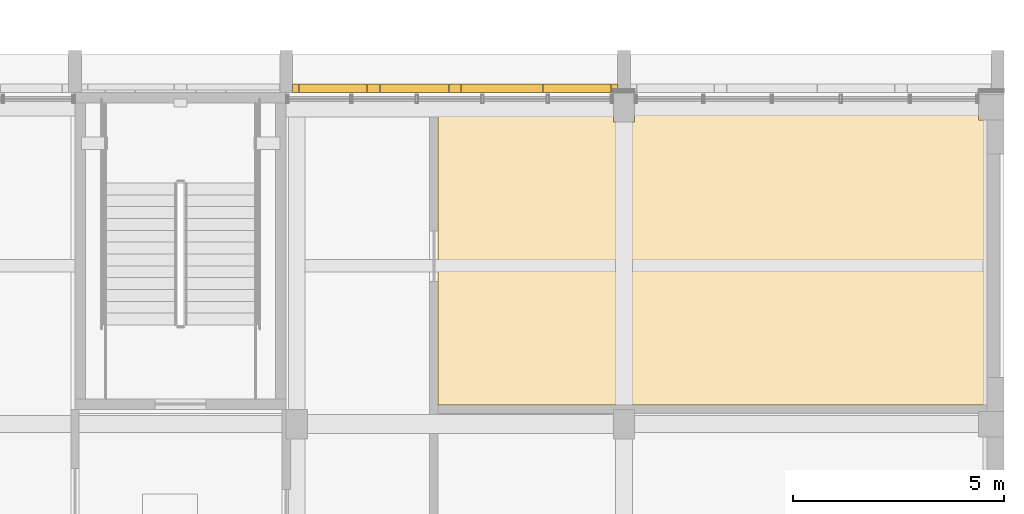
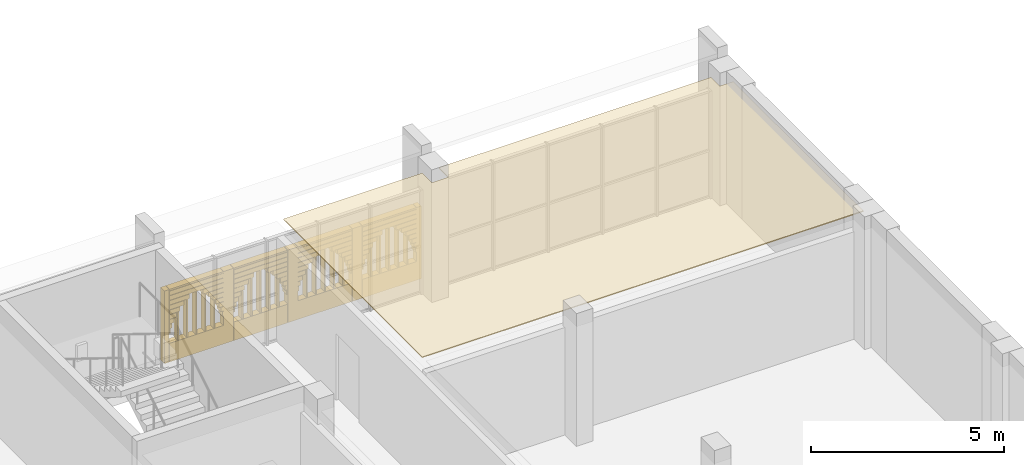
# One storey, part 91 of 92: 2 coverings.
"""IFC4 building model written with IfcOpenShell, lengths in metres."""

import ifcopenshell
import ifcopenshell.guid

model = None  # the IFC model being written
_history = None  # IfcOwnerHistory: only IFC2X3 demands one
_inside = {}  # id of a spatial element -> (the spatial element, [elements in it])
_under = {}  # id of a project, library or spatial element -> (it, [spatial elements below it])
_declared = {}  # id of a project -> (the project, [libraries it declares])
_typed = {}  # id of a type object -> (the type object, [elements of that type])
_made_of = {}  # id of a material, layer set ... -> (it, [elements and type objects made of it])


def new_model(schema):
    """Start an empty IFC model of exactly this schema.

    Asked for "IFC4X3", IfcOpenShell would pick the latest addendum, in which some entities
    have other attributes; the version numbers below select the first issue.
    IFC2X3 requires an IfcOwnerHistory on every rooted entity: one is made here for all.
    """
    global model, _history
    if schema == "IFC4X3":
        model = ifcopenshell.file(schema_version=(4, 3, 0, 0))
    else:
        model = ifcopenshell.file(schema=schema)
    _inside.clear()
    _under.clear()
    _declared.clear()
    _typed.clear()
    _made_of.clear()
    _history = None
    if model.schema == "IFC2X3":
        org = make("IfcOrganization", Name="unknown")
        user = make(
            "IfcPersonAndOrganization",
            ThePerson=make("IfcPerson", FamilyName="unknown"),
            TheOrganization=org,
        )
        app = make(
            "IfcApplication",
            ApplicationDeveloper=org,
            Version="unknown",
            ApplicationFullName="unknown",
            ApplicationIdentifier="unknown",
        )
        _history = make(
            "IfcOwnerHistory",
            OwningUser=user,
            OwningApplication=app,
            ChangeAction="ADDED",
            CreationDate=0,
        )
    return model


def make(cls, **values):
    """One entity of the class cls with the attributes given. An attribute that is None is left unset."""
    return model.create_entity(
        cls, **{name: value for name, value in values.items() if value is not None}
    )


def rooted(cls, **values):
    """An entity with a GlobalId (a new one), such as an element, a storey or a relation."""
    return make(cls, GlobalId=ifcopenshell.guid.new(), OwnerHistory=_history, **values)


def si_unit(unit_type, name, prefix=None):
    """IfcSIUnit, for example si_unit("LENGTHUNIT", "METRE", prefix="MILLI")."""
    return make("IfcSIUnit", UnitType=unit_type, Prefix=prefix, Name=name)


def assignment(units):
    """IfcUnitAssignment: the units of a project."""
    return None if units is None else make("IfcUnitAssignment", Units=units)


def point(xyz):
    """IfcCartesianPoint."""
    return None if xyz is None else make("IfcCartesianPoint", Coordinates=xyz)


def direction(xyz):
    """IfcDirection."""
    return None if xyz is None else make("IfcDirection", DirectionRatios=xyz)


def frame(location, z_axis=None, x_axis=None):
    """IfcAxis2Placement3D, a coordinate frame: its origin and axes. An axis left out is left unset."""
    return make(
        "IfcAxis2Placement3D",
        Location=point(location),
        Axis=direction(z_axis),
        RefDirection=direction(x_axis),
    )


def frame_2d(location, x_axis=None):
    """IfcAxis2Placement2D, a coordinate frame in the plane: its origin and x axis."""
    return make(
        "IfcAxis2Placement2D", Location=point(location), RefDirection=direction(x_axis)
    )


def origin():
    """The frame at (0, 0, 0) with its axes left unset."""
    return frame((0.0, 0.0, 0.0))


def origin_2d():
    """The frame at (0, 0) in the plane with its x axis left unset."""
    return frame_2d((0.0, 0.0))


def place(relative_to, where):
    """IfcLocalPlacement: puts the frame where relative to a parent placement (None: the world)."""
    return make(
        "IfcLocalPlacement", PlacementRelTo=relative_to, RelativePlacement=where
    )


def context(
    kind, dimensions, precision=None, world=None, true_north=None, identifier=None
):
    """IfcGeometricRepresentationContext, for example the 3D "Model" context."""
    return make(
        "IfcGeometricRepresentationContext",
        ContextIdentifier=identifier,
        ContextType=kind,
        CoordinateSpaceDimension=dimensions,
        Precision=precision,
        WorldCoordinateSystem=world,
        TrueNorth=true_north,
    )


def subcontext(parent, identifier, kind, view, scale=None):
    """IfcGeometricRepresentationSubContext, for example "Body" below "Model"."""
    return make(
        "IfcGeometricRepresentationSubContext",
        ContextIdentifier=identifier,
        ContextType=kind,
        ParentContext=parent,
        TargetScale=scale,
        TargetView=view,
    )


def project(units=None, contexts=None):
    """IfcProject with its units and contexts."""
    return rooted(
        "IfcProject",
        Name="project",
        RepresentationContexts=contexts,
        UnitsInContext=assignment(units),
    )


def spatial(cls, under=None, at=None, **own):
    """A site, building, storey or space (cls), placed at a placement, below another one or the project."""
    s = rooted(cls, ObjectPlacement=at, **own)
    if under is not None:
        _under.setdefault(under.id(), (under, []))[1].append(s)
    return s


def polyline(points):
    """IfcPolyline through the points."""
    return make("IfcPolyline", Points=[point(p) for p in points])


def profile(cls, at=None, kind="AREA", **sizes):
    """A parametric profile (cls). Its sizes go by their IFC names, for example OverallWidth=200.0."""
    return make(cls, ProfileType=kind, Position=at, **sizes)


def rectangle(**sizes):
    """IfcRectangleProfileDef."""
    return profile("IfcRectangleProfileDef", **sizes)


def outline(outer, holes=None, kind="AREA"):
    """IfcArbitraryClosedProfileDef: a profile drawn as a closed curve; with holes, ...WithVoids."""
    if holes is None:
        return make("IfcArbitraryClosedProfileDef", ProfileType=kind, OuterCurve=outer)
    return make(
        "IfcArbitraryProfileDefWithVoids",
        ProfileType=kind,
        OuterCurve=outer,
        InnerCurves=holes,
    )


def extrude(swept, where, along, depth):
    """IfcExtrudedAreaSolid: the profile swept, set in the frame where, extruded along a direction by depth."""
    return make(
        "IfcExtrudedAreaSolid",
        SweptArea=swept,
        Position=where,
        ExtrudedDirection=direction(along),
        Depth=depth,
    )


def shape(context_of_items, identifier, shape_type, items):
    """IfcShapeRepresentation: the items that make up one representation, for example the "Body"."""
    return make(
        "IfcShapeRepresentation",
        ContextOfItems=context_of_items,
        RepresentationIdentifier=identifier,
        RepresentationType=shape_type,
        Items=items,
    )


def material(Name=None, Category=None):
    """IfcMaterial."""
    return make("IfcMaterial", Name=Name, Category=Category)


def layer(
    of_material, thickness, ventilated=None, Name=None, Category=None, Priority=None
):
    """IfcMaterialLayer: one layer of a wall or slab, of a material (None: an air gap)."""
    return make(
        "IfcMaterialLayer",
        Material=of_material,
        LayerThickness=thickness,
        IsVentilated=ventilated,
        Name=Name,
        Category=Category,
        Priority=Priority,
    )


def layer_set(layers, Name=None):
    """IfcMaterialLayerSet."""
    return make("IfcMaterialLayerSet", MaterialLayers=layers, LayerSetName=Name)


def made_of(thing, what):
    """Note that an element or type object is made of a material, layer set ...; save() writes the relation."""
    if what is not None:
        _made_of.setdefault(what.id(), (what, []))[1].append(thing)
    return thing


def type_object(cls, material=None, **own):
    """A type object (cls), such as IfcWallType, which elements share."""
    return made_of(rooted(cls, **own), material)


def element(
    cls,
    number,
    at=None,
    inside=None,
    cuts=None,
    type_object=None,
    material=None,
    context=None,
    identifier="Body",
    shape_type=None,
    held_by="IfcProductDefinitionShape",
    body=None,
    shapes=None,
    **own,
):
    """One element of the class cls, such as IfcWall. Its Tag is "e" and its number.

    at: its placement. inside: the storey or other place that contains it. cuts: it is an
    opening in that element (IfcRelVoidsElement). A single representation is given by context,
    identifier, shape_type and body (its items); several are given by shapes. held_by: the class
    of the entity that holds the representations. save() writes the other relations.
    """
    e = rooted(cls, Tag="e%d" % number, ObjectPlacement=at, **own)
    if body is not None:
        shapes = [shape(context, identifier, shape_type, body)]
    if shapes is not None:
        e.Representation = make(held_by, Representations=shapes)
    if inside is not None:
        _inside.setdefault(inside.id(), (inside, []))[1].append(e)
    if cuts is not None:
        rooted(
            "IfcRelVoidsElement", RelatingBuildingElement=cuts, RelatedOpeningElement=e
        )
    if type_object is not None:
        _typed.setdefault(type_object.id(), (type_object, []))[1].append(e)
    return made_of(e, material)


def aggregate(whole, parts):
    """IfcRelAggregates: a whole, such as a stair, and the parts it consists of."""
    return rooted("IfcRelAggregates", RelatingObject=whole, RelatedObjects=parts)


def save(model, path):
    """Write the relations noted so far, then the file.

    IfcRelAggregates (storeys below a building ...), IfcRelContainedInSpatialStructure (elements
    in a storey), IfcRelDefinesByType, IfcRelAssociatesMaterial and IfcRelDeclares: one each for
    every whole, place, type object, material and project.
    """
    for whole, parts in _under.values():
        aggregate(whole, parts)
    for where, things in _inside.values():
        rooted(
            "IfcRelContainedInSpatialStructure",
            RelatedElements=things,
            RelatingStructure=where,
        )
    for kind, things in _typed.values():
        rooted("IfcRelDefinesByType", RelatedObjects=things, RelatingType=kind)
    for what, things in _made_of.values():
        rooted("IfcRelAssociatesMaterial", RelatedObjects=things, RelatingMaterial=what)
    for by, libraries in _declared.values():
        rooted("IfcRelDeclares", RelatingContext=by, RelatedDefinitions=libraries)
    model.write(path)


model = new_model("IFC4")

# Units and contexts
model_context = context("Model", 3, precision=1e-05, world=origin(), true_north=direction((0.0, 1.0)))
body_context = subcontext(model_context, "Body", "Model", "MODEL_VIEW")
ifc_project = project(units=[si_unit("LENGTHUNIT", "METRE"), si_unit("AREAUNIT", "SQUARE_METRE"), si_unit("VOLUMEUNIT", "CUBIC_METRE"), si_unit("PLANEANGLEUNIT", "RADIAN"), si_unit("MASSUNIT", "GRAM", prefix="KILO")], contexts=[model_context])

# Site, building, storey
site_placement = place(None, origin())
site = spatial("IfcSite", under=ifc_project, at=site_placement, CompositionType="ELEMENT")
building_placement = place(site_placement, origin())
building = spatial("IfcBuilding", under=site, at=building_placement, Name="Sun Court Science Centre", CompositionType="ELEMENT")
storey_placement = place(building_placement, frame((0.0, 0.0, 11.25)))
storey = spatial("IfcBuildingStorey", under=building, at=storey_placement, Name="L02", CompositionType="ELEMENT", Elevation=11.25)

# Coverings
ifc_material_1 = material(Name="Red sandstone", Category="masonry")
ifc_layer_1 = layer(ifc_material_1, 0.199951171875)
ifc_layer_set_1 = layer_set([ifc_layer_1], Name="Red sandstone")
covering_type_1 = type_object("IfcCoveringType", Name="Arched jali screen 200", PredefinedType="CLADDING", material=ifc_layer_set_1)
covering_1_placement = place(storey_placement, frame((0.0, 0.0, -11.25)))
element("IfcCovering", 1, at=covering_1_placement, inside=storey, type_object=covering_type_1, Name="Arched jali screen north L02 03", PredefinedType="CLADDING", context=body_context, shape_type="SweptSolid", body=[
    extrude(rectangle(XDim=0.139892578125, YDim=0.199951171875, at=origin_2d()), frame((87.22509765625, 81.10009765625, 11.554931640625), z_axis=(0.0, 0.0, 1.0), x_axis=(1.0, 0.0, 0.0)), (0.0, 0.0, 1.0), 2.29736328125),
    extrude(rectangle(XDim=0.2900390625, YDim=0.199951171875, at=origin_2d()), frame((89.074951171875, 81.10009765625, 11.554931640625), z_axis=(0.0, 0.0, 1.0), x_axis=(1.0, 0.0, 0.0)), (0.0, 0.0, 1.0), 2.29736328125),
    extrude(rectangle(XDim=0.2900390625, YDim=0.199951171875, at=origin_2d()), frame((91.0, 81.10009765625, 11.554931640625), z_axis=(0.0, 0.0, 1.0), x_axis=(1.0, 0.0, 0.0)), (0.0, 0.0, 1.0), 2.29736328125),
    extrude(rectangle(XDim=0.2900390625, YDim=0.199951171875, at=origin_2d()), frame((92.925048828125, 81.10009765625, 11.554931640625), z_axis=(0.0, 0.0, 1.0), x_axis=(1.0, 0.0, 0.0)), (0.0, 0.0, 1.0), 2.29736328125),
    extrude(rectangle(XDim=0.139892578125, YDim=0.199951171875, at=origin_2d()), frame((94.77490234375, 81.10009765625, 11.554931640625), z_axis=(0.0, 0.0, 1.0), x_axis=(1.0, 0.0, 0.0)), (0.0, 0.0, 1.0), 2.29736328125),
    extrude(rectangle(XDim=1.614990234375, YDim=0.199951171875, at=origin_2d()), frame((88.112548828125, 81.10009765625, 11.55517578125), z_axis=(0.0, 0.0, 1.0), x_axis=(1.0, 0.0, 0.0)), (0.0, 0.0, 1.0), 0.590087890625),
    extrude(rectangle(XDim=0.033935546875, YDim=0.199951171875, at=origin_2d()), frame((87.322021484375, 81.10009765625, 12.455078125), z_axis=(0.0, 0.0, 1.0), x_axis=(1.0, 0.0, 0.0)), (0.0, 0.0, 1.0), 0.139892578125),
    extrude(rectangle(XDim=0.033935546875, YDim=0.199951171875, at=origin_2d()), frame((88.903076171875, 81.10009765625, 12.455078125), z_axis=(0.0, 0.0, 1.0), x_axis=(1.0, 0.0, 0.0)), (0.0, 0.0, 1.0), 0.139892578125),
    extrude(rectangle(XDim=0.0771484375, YDim=0.199951171875, at=origin_2d()), frame((87.343505859375, 81.10009765625, 12.60498046875), z_axis=(0.0, 0.0, 1.0), x_axis=(1.0, 0.0, 0.0)), (0.0, 0.0, 1.0), 0.139892578125),
    extrude(rectangle(XDim=0.0771484375, YDim=0.199951171875, at=origin_2d()), frame((88.88134765625, 81.10009765625, 12.60498046875), z_axis=(0.0, 0.0, 1.0), x_axis=(1.0, 0.0, 0.0)), (0.0, 0.0, 1.0), 0.139892578125),
    extrude(rectangle(XDim=0.13671875, YDim=0.199951171875, at=origin_2d()), frame((87.373291015625, 81.10009765625, 12.7548828125), z_axis=(0.0, 0.0, 1.0), x_axis=(1.0, 0.0, 0.0)), (0.0, 0.0, 1.0), 0.139892578125),
    extrude(rectangle(XDim=0.13671875, YDim=0.199951171875, at=origin_2d()), frame((88.8515625, 81.10009765625, 12.7548828125), z_axis=(0.0, 0.0, 1.0), x_axis=(1.0, 0.0, 0.0)), (0.0, 0.0, 1.0), 0.139892578125),
    extrude(rectangle(XDim=0.215087890625, YDim=0.199951171875, at=origin_2d()), frame((87.41259765625, 81.10009765625, 12.9052734375), z_axis=(0.0, 0.0, 1.0), x_axis=(1.0, 0.0, 0.0)), (0.0, 0.0, 1.0), 0.139892578125),
    extrude(rectangle(XDim=0.215087890625, YDim=0.199951171875, at=origin_2d()), frame((88.8125, 81.10009765625, 12.9052734375), z_axis=(0.0, 0.0, 1.0), x_axis=(1.0, 0.0, 0.0)), (0.0, 0.0, 1.0), 0.139892578125),
    extrude(rectangle(XDim=0.31494140625, YDim=0.199951171875, at=origin_2d()), frame((87.46240234375, 81.10009765625, 13.05517578125), z_axis=(0.0, 0.0, 1.0), x_axis=(1.0, 0.0, 0.0)), (0.0, 0.0, 1.0), 0.139892578125),
    extrude(rectangle(XDim=0.31494140625, YDim=0.199951171875, at=origin_2d()), frame((88.762451171875, 81.10009765625, 13.05517578125), z_axis=(0.0, 0.0, 1.0), x_axis=(1.0, 0.0, 0.0)), (0.0, 0.0, 1.0), 0.139892578125),
    extrude(rectangle(XDim=0.4423828125, YDim=0.199951171875, at=origin_2d()), frame((87.526123046875, 81.10009765625, 13.205078125), z_axis=(0.0, 0.0, 1.0), x_axis=(1.0, 0.0, 0.0)), (0.0, 0.0, 1.0), 0.139892578125),
    extrude(rectangle(XDim=0.4423828125, YDim=0.199951171875, at=origin_2d()), frame((88.69873046875, 81.10009765625, 13.205078125), z_axis=(0.0, 0.0, 1.0), x_axis=(1.0, 0.0, 0.0)), (0.0, 0.0, 1.0), 0.139892578125),
    extrude(rectangle(XDim=0.607421875, YDim=0.199951171875, at=origin_2d()), frame((87.608642578125, 81.10009765625, 13.35498046875), z_axis=(0.0, 0.0, 1.0), x_axis=(1.0, 0.0, 0.0)), (0.0, 0.0, 1.0), 0.139892578125),
    extrude(rectangle(XDim=0.607421875, YDim=0.199951171875, at=origin_2d()), frame((88.6162109375, 81.10009765625, 13.35498046875), z_axis=(0.0, 0.0, 1.0), x_axis=(1.0, 0.0, 0.0)), (0.0, 0.0, 1.0), 0.139892578125),
    extrude(rectangle(XDim=1.614990234375, YDim=0.199951171875, at=origin_2d()), frame((88.112548828125, 81.10009765625, 13.5048828125), z_axis=(0.0, 0.0, 1.0), x_axis=(1.0, 0.0, 0.0)), (0.0, 0.0, 1.0), 0.139892578125),
    extrude(rectangle(XDim=1.614990234375, YDim=0.199951171875, at=origin_2d()), frame((88.112548828125, 81.10009765625, 13.6552734375), z_axis=(0.0, 0.0, 1.0), x_axis=(1.0, 0.0, 0.0)), (0.0, 0.0, 1.0), 0.139892578125),
    extrude(rectangle(XDim=1.614990234375, YDim=0.199951171875, at=origin_2d()), frame((88.112548828125, 81.10009765625, 13.804931640625), z_axis=(0.0, 0.0, 1.0), x_axis=(1.0, 0.0, 0.0)), (0.0, 0.0, 1.0), 0.04736328125),
    extrude(rectangle(XDim=0.0400390625, YDim=0.199951171875, at=origin_2d()), frame((87.57080078125, 81.10009765625, 12.155029296875), z_axis=(0.0, 0.0, 1.0), x_axis=(1.0, 0.0, 0.0)), (0.0, 0.0, 1.0), 0.88818359375),
    extrude(rectangle(XDim=0.0400390625, YDim=0.199951171875, at=origin_2d()), frame((87.841552734375, 81.10009765625, 12.155029296875), z_axis=(0.0, 0.0, 1.0), x_axis=(1.0, 0.0, 0.0)), (0.0, 0.0, 1.0), 1.201171875),
    extrude(rectangle(XDim=0.0400390625, YDim=0.199951171875, at=origin_2d()), frame((88.112548828125, 81.10009765625, 12.1552734375), z_axis=(0.0, 0.0, 1.0), x_axis=(1.0, 0.0, 0.0)), (0.0, 0.0, 1.0), 1.397216796875),
    extrude(rectangle(XDim=0.0400390625, YDim=0.199951171875, at=origin_2d()), frame((88.38330078125, 81.10009765625, 12.155029296875), z_axis=(0.0, 0.0, 1.0), x_axis=(1.0, 0.0, 0.0)), (0.0, 0.0, 1.0), 1.201171875),
    extrude(rectangle(XDim=0.0400390625, YDim=0.199951171875, at=origin_2d()), frame((88.654052734375, 81.10009765625, 12.155029296875), z_axis=(0.0, 0.0, 1.0), x_axis=(1.0, 0.0, 0.0)), (0.0, 0.0, 1.0), 0.88818359375),
    extrude(rectangle(XDim=1.614990234375, YDim=0.199951171875, at=origin_2d()), frame((90.03759765625, 81.10009765625, 11.55517578125), z_axis=(0.0, 0.0, 1.0), x_axis=(1.0, 0.0, 0.0)), (0.0, 0.0, 1.0), 0.590087890625),
    extrude(rectangle(XDim=0.033935546875, YDim=0.199951171875, at=origin_2d()), frame((89.246826171875, 81.10009765625, 12.455078125), z_axis=(0.0, 0.0, 1.0), x_axis=(1.0, 0.0, 0.0)), (0.0, 0.0, 1.0), 0.139892578125),
    extrude(rectangle(XDim=0.033935546875, YDim=0.199951171875, at=origin_2d()), frame((90.828125, 81.10009765625, 12.455078125), z_axis=(0.0, 0.0, 1.0), x_axis=(1.0, 0.0, 0.0)), (0.0, 0.0, 1.0), 0.139892578125),
    extrude(rectangle(XDim=0.0771484375, YDim=0.199951171875, at=origin_2d()), frame((89.2685546875, 81.10009765625, 12.60498046875), z_axis=(0.0, 0.0, 1.0), x_axis=(1.0, 0.0, 0.0)), (0.0, 0.0, 1.0), 0.139892578125),
    extrude(rectangle(XDim=0.0771484375, YDim=0.199951171875, at=origin_2d()), frame((90.806396484375, 81.10009765625, 12.60498046875), z_axis=(0.0, 0.0, 1.0), x_axis=(1.0, 0.0, 0.0)), (0.0, 0.0, 1.0), 0.139892578125),
    extrude(rectangle(XDim=0.13671875, YDim=0.199951171875, at=origin_2d()), frame((89.29833984375, 81.10009765625, 12.7548828125), z_axis=(0.0, 0.0, 1.0), x_axis=(1.0, 0.0, 0.0)), (0.0, 0.0, 1.0), 0.139892578125),
    extrude(rectangle(XDim=0.13671875, YDim=0.199951171875, at=origin_2d()), frame((90.776611328125, 81.10009765625, 12.7548828125), z_axis=(0.0, 0.0, 1.0), x_axis=(1.0, 0.0, 0.0)), (0.0, 0.0, 1.0), 0.139892578125),
    extrude(rectangle(XDim=0.215087890625, YDim=0.199951171875, at=origin_2d()), frame((89.33740234375, 81.10009765625, 12.9052734375), z_axis=(0.0, 0.0, 1.0), x_axis=(1.0, 0.0, 0.0)), (0.0, 0.0, 1.0), 0.139892578125),
    extrude(rectangle(XDim=0.215087890625, YDim=0.199951171875, at=origin_2d()), frame((90.737548828125, 81.10009765625, 12.9052734375), z_axis=(0.0, 0.0, 1.0), x_axis=(1.0, 0.0, 0.0)), (0.0, 0.0, 1.0), 0.139892578125),
    extrude(rectangle(XDim=0.31494140625, YDim=0.199951171875, at=origin_2d()), frame((89.387451171875, 81.10009765625, 13.05517578125), z_axis=(0.0, 0.0, 1.0), x_axis=(1.0, 0.0, 0.0)), (0.0, 0.0, 1.0), 0.139892578125),
    extrude(rectangle(XDim=0.31494140625, YDim=0.199951171875, at=origin_2d()), frame((90.6875, 81.10009765625, 13.05517578125), z_axis=(0.0, 0.0, 1.0), x_axis=(1.0, 0.0, 0.0)), (0.0, 0.0, 1.0), 0.139892578125),
    extrude(rectangle(XDim=0.4423828125, YDim=0.199951171875, at=origin_2d()), frame((89.451171875, 81.10009765625, 13.205078125), z_axis=(0.0, 0.0, 1.0), x_axis=(1.0, 0.0, 0.0)), (0.0, 0.0, 1.0), 0.139892578125),
    extrude(rectangle(XDim=0.4423828125, YDim=0.199951171875, at=origin_2d()), frame((90.623779296875, 81.10009765625, 13.205078125), z_axis=(0.0, 0.0, 1.0), x_axis=(1.0, 0.0, 0.0)), (0.0, 0.0, 1.0), 0.139892578125),
    extrude(rectangle(XDim=0.607421875, YDim=0.199951171875, at=origin_2d()), frame((89.53369140625, 81.10009765625, 13.35498046875), z_axis=(0.0, 0.0, 1.0), x_axis=(1.0, 0.0, 0.0)), (0.0, 0.0, 1.0), 0.139892578125),
    extrude(rectangle(XDim=0.607421875, YDim=0.199951171875, at=origin_2d()), frame((90.541259765625, 81.10009765625, 13.35498046875), z_axis=(0.0, 0.0, 1.0), x_axis=(1.0, 0.0, 0.0)), (0.0, 0.0, 1.0), 0.139892578125),
    extrude(rectangle(XDim=1.614990234375, YDim=0.199951171875, at=origin_2d()), frame((90.03759765625, 81.10009765625, 13.5048828125), z_axis=(0.0, 0.0, 1.0), x_axis=(1.0, 0.0, 0.0)), (0.0, 0.0, 1.0), 0.139892578125),
    extrude(rectangle(XDim=1.614990234375, YDim=0.199951171875, at=origin_2d()), frame((90.03759765625, 81.10009765625, 13.6552734375), z_axis=(0.0, 0.0, 1.0), x_axis=(1.0, 0.0, 0.0)), (0.0, 0.0, 1.0), 0.139892578125),
    extrude(rectangle(XDim=1.614990234375, YDim=0.199951171875, at=origin_2d()), frame((90.03759765625, 81.10009765625, 13.804931640625), z_axis=(0.0, 0.0, 1.0), x_axis=(1.0, 0.0, 0.0)), (0.0, 0.0, 1.0), 0.04736328125),
    extrude(rectangle(XDim=0.0400390625, YDim=0.199951171875, at=origin_2d()), frame((89.495849609375, 81.10009765625, 12.155029296875), z_axis=(0.0, 0.0, 1.0), x_axis=(1.0, 0.0, 0.0)), (0.0, 0.0, 1.0), 0.88818359375),
    extrude(rectangle(XDim=0.0400390625, YDim=0.199951171875, at=origin_2d()), frame((89.7666015625, 81.10009765625, 12.155029296875), z_axis=(0.0, 0.0, 1.0), x_axis=(1.0, 0.0, 0.0)), (0.0, 0.0, 1.0), 1.201171875),
    extrude(rectangle(XDim=0.0400390625, YDim=0.199951171875, at=origin_2d()), frame((90.03759765625, 81.10009765625, 12.1552734375), z_axis=(0.0, 0.0, 1.0), x_axis=(1.0, 0.0, 0.0)), (0.0, 0.0, 1.0), 1.397216796875),
    extrude(rectangle(XDim=0.0400390625, YDim=0.199951171875, at=origin_2d()), frame((90.308349609375, 81.10009765625, 12.155029296875), z_axis=(0.0, 0.0, 1.0), x_axis=(1.0, 0.0, 0.0)), (0.0, 0.0, 1.0), 1.201171875),
    extrude(rectangle(XDim=0.0400390625, YDim=0.199951171875, at=origin_2d()), frame((90.5791015625, 81.10009765625, 12.155029296875), z_axis=(0.0, 0.0, 1.0), x_axis=(1.0, 0.0, 0.0)), (0.0, 0.0, 1.0), 0.88818359375),
    extrude(rectangle(XDim=1.614990234375, YDim=0.199951171875, at=origin_2d()), frame((91.96240234375, 81.10009765625, 11.55517578125), z_axis=(0.0, 0.0, 1.0), x_axis=(1.0, 0.0, 0.0)), (0.0, 0.0, 1.0), 0.590087890625),
    extrude(rectangle(XDim=0.033935546875, YDim=0.199951171875, at=origin_2d()), frame((91.171875, 81.10009765625, 12.455078125), z_axis=(0.0, 0.0, 1.0), x_axis=(1.0, 0.0, 0.0)), (0.0, 0.0, 1.0), 0.139892578125),
    extrude(rectangle(XDim=0.033935546875, YDim=0.199951171875, at=origin_2d()), frame((92.753173828125, 81.10009765625, 12.455078125), z_axis=(0.0, 0.0, 1.0), x_axis=(1.0, 0.0, 0.0)), (0.0, 0.0, 1.0), 0.139892578125),
    extrude(rectangle(XDim=0.0771484375, YDim=0.199951171875, at=origin_2d()), frame((91.193603515625, 81.10009765625, 12.60498046875), z_axis=(0.0, 0.0, 1.0), x_axis=(1.0, 0.0, 0.0)), (0.0, 0.0, 1.0), 0.139892578125),
    extrude(rectangle(XDim=0.0771484375, YDim=0.199951171875, at=origin_2d()), frame((92.7314453125, 81.10009765625, 12.60498046875), z_axis=(0.0, 0.0, 1.0), x_axis=(1.0, 0.0, 0.0)), (0.0, 0.0, 1.0), 0.139892578125),
    extrude(rectangle(XDim=0.13671875, YDim=0.199951171875, at=origin_2d()), frame((91.223388671875, 81.10009765625, 12.7548828125), z_axis=(0.0, 0.0, 1.0), x_axis=(1.0, 0.0, 0.0)), (0.0, 0.0, 1.0), 0.139892578125),
    extrude(rectangle(XDim=0.13671875, YDim=0.199951171875, at=origin_2d()), frame((92.70166015625, 81.10009765625, 12.7548828125), z_axis=(0.0, 0.0, 1.0), x_axis=(1.0, 0.0, 0.0)), (0.0, 0.0, 1.0), 0.139892578125),
    extrude(rectangle(XDim=0.215087890625, YDim=0.199951171875, at=origin_2d()), frame((91.262451171875, 81.10009765625, 12.9052734375), z_axis=(0.0, 0.0, 1.0), x_axis=(1.0, 0.0, 0.0)), (0.0, 0.0, 1.0), 0.139892578125),
    extrude(rectangle(XDim=0.215087890625, YDim=0.199951171875, at=origin_2d()), frame((92.66259765625, 81.10009765625, 12.9052734375), z_axis=(0.0, 0.0, 1.0), x_axis=(1.0, 0.0, 0.0)), (0.0, 0.0, 1.0), 0.139892578125),
    extrude(rectangle(XDim=0.31494140625, YDim=0.199951171875, at=origin_2d()), frame((91.3125, 81.10009765625, 13.05517578125), z_axis=(0.0, 0.0, 1.0), x_axis=(1.0, 0.0, 0.0)), (0.0, 0.0, 1.0), 0.139892578125),
    extrude(rectangle(XDim=0.31494140625, YDim=0.199951171875, at=origin_2d()), frame((92.612548828125, 81.10009765625, 13.05517578125), z_axis=(0.0, 0.0, 1.0), x_axis=(1.0, 0.0, 0.0)), (0.0, 0.0, 1.0), 0.139892578125),
    extrude(rectangle(XDim=0.4423828125, YDim=0.199951171875, at=origin_2d()), frame((91.376220703125, 81.10009765625, 13.205078125), z_axis=(0.0, 0.0, 1.0), x_axis=(1.0, 0.0, 0.0)), (0.0, 0.0, 1.0), 0.139892578125),
    extrude(rectangle(XDim=0.4423828125, YDim=0.199951171875, at=origin_2d()), frame((92.548828125, 81.10009765625, 13.205078125), z_axis=(0.0, 0.0, 1.0), x_axis=(1.0, 0.0, 0.0)), (0.0, 0.0, 1.0), 0.139892578125),
    extrude(rectangle(XDim=0.607421875, YDim=0.199951171875, at=origin_2d()), frame((91.458740234375, 81.10009765625, 13.35498046875), z_axis=(0.0, 0.0, 1.0), x_axis=(1.0, 0.0, 0.0)), (0.0, 0.0, 1.0), 0.139892578125),
    extrude(rectangle(XDim=0.607421875, YDim=0.199951171875, at=origin_2d()), frame((92.46630859375, 81.10009765625, 13.35498046875), z_axis=(0.0, 0.0, 1.0), x_axis=(1.0, 0.0, 0.0)), (0.0, 0.0, 1.0), 0.139892578125),
    extrude(rectangle(XDim=1.614990234375, YDim=0.199951171875, at=origin_2d()), frame((91.96240234375, 81.10009765625, 13.5048828125), z_axis=(0.0, 0.0, 1.0), x_axis=(1.0, 0.0, 0.0)), (0.0, 0.0, 1.0), 0.139892578125),
    extrude(rectangle(XDim=1.614990234375, YDim=0.199951171875, at=origin_2d()), frame((91.96240234375, 81.10009765625, 13.6552734375), z_axis=(0.0, 0.0, 1.0), x_axis=(1.0, 0.0, 0.0)), (0.0, 0.0, 1.0), 0.139892578125),
    extrude(rectangle(XDim=1.614990234375, YDim=0.199951171875, at=origin_2d()), frame((91.96240234375, 81.10009765625, 13.804931640625), z_axis=(0.0, 0.0, 1.0), x_axis=(1.0, 0.0, 0.0)), (0.0, 0.0, 1.0), 0.04736328125),
    extrude(rectangle(XDim=0.0400390625, YDim=0.199951171875, at=origin_2d()), frame((91.4208984375, 81.10009765625, 12.155029296875), z_axis=(0.0, 0.0, 1.0), x_axis=(1.0, 0.0, 0.0)), (0.0, 0.0, 1.0), 0.88818359375),
    extrude(rectangle(XDim=0.0400390625, YDim=0.199951171875, at=origin_2d()), frame((91.691650390625, 81.10009765625, 12.155029296875), z_axis=(0.0, 0.0, 1.0), x_axis=(1.0, 0.0, 0.0)), (0.0, 0.0, 1.0), 1.201171875),
    extrude(rectangle(XDim=0.0400390625, YDim=0.199951171875, at=origin_2d()), frame((91.96240234375, 81.10009765625, 12.1552734375), z_axis=(0.0, 0.0, 1.0), x_axis=(1.0, 0.0, 0.0)), (0.0, 0.0, 1.0), 1.397216796875),
    extrude(rectangle(XDim=0.0400390625, YDim=0.199951171875, at=origin_2d()), frame((92.2333984375, 81.10009765625, 12.155029296875), z_axis=(0.0, 0.0, 1.0), x_axis=(1.0, 0.0, 0.0)), (0.0, 0.0, 1.0), 1.201171875),
    extrude(rectangle(XDim=0.0400390625, YDim=0.199951171875, at=origin_2d()), frame((92.504150390625, 81.10009765625, 12.155029296875), z_axis=(0.0, 0.0, 1.0), x_axis=(1.0, 0.0, 0.0)), (0.0, 0.0, 1.0), 0.88818359375),
    extrude(rectangle(XDim=1.614990234375, YDim=0.199951171875, at=origin_2d()), frame((93.887451171875, 81.10009765625, 11.55517578125), z_axis=(0.0, 0.0, 1.0), x_axis=(1.0, 0.0, 0.0)), (0.0, 0.0, 1.0), 0.590087890625),
    extrude(rectangle(XDim=0.033935546875, YDim=0.199951171875, at=origin_2d()), frame((93.096923828125, 81.10009765625, 12.455078125), z_axis=(0.0, 0.0, 1.0), x_axis=(1.0, 0.0, 0.0)), (0.0, 0.0, 1.0), 0.139892578125),
    extrude(rectangle(XDim=0.033935546875, YDim=0.199951171875, at=origin_2d()), frame((94.677978515625, 81.10009765625, 12.455078125), z_axis=(0.0, 0.0, 1.0), x_axis=(1.0, 0.0, 0.0)), (0.0, 0.0, 1.0), 0.139892578125),
    extrude(rectangle(XDim=0.0771484375, YDim=0.199951171875, at=origin_2d()), frame((93.11865234375, 81.10009765625, 12.60498046875), z_axis=(0.0, 0.0, 1.0), x_axis=(1.0, 0.0, 0.0)), (0.0, 0.0, 1.0), 0.139892578125),
    extrude(rectangle(XDim=0.0771484375, YDim=0.199951171875, at=origin_2d()), frame((94.656494140625, 81.10009765625, 12.60498046875), z_axis=(0.0, 0.0, 1.0), x_axis=(1.0, 0.0, 0.0)), (0.0, 0.0, 1.0), 0.139892578125),
    extrude(rectangle(XDim=0.13671875, YDim=0.199951171875, at=origin_2d()), frame((93.1484375, 81.10009765625, 12.7548828125), z_axis=(0.0, 0.0, 1.0), x_axis=(1.0, 0.0, 0.0)), (0.0, 0.0, 1.0), 0.139892578125),
    extrude(rectangle(XDim=0.13671875, YDim=0.199951171875, at=origin_2d()), frame((94.626708984375, 81.10009765625, 12.7548828125), z_axis=(0.0, 0.0, 1.0), x_axis=(1.0, 0.0, 0.0)), (0.0, 0.0, 1.0), 0.139892578125),
    extrude(rectangle(XDim=0.215087890625, YDim=0.199951171875, at=origin_2d()), frame((93.1875, 81.10009765625, 12.9052734375), z_axis=(0.0, 0.0, 1.0), x_axis=(1.0, 0.0, 0.0)), (0.0, 0.0, 1.0), 0.139892578125),
    extrude(rectangle(XDim=0.215087890625, YDim=0.199951171875, at=origin_2d()), frame((94.58740234375, 81.10009765625, 12.9052734375), z_axis=(0.0, 0.0, 1.0), x_axis=(1.0, 0.0, 0.0)), (0.0, 0.0, 1.0), 0.139892578125),
    extrude(rectangle(XDim=0.31494140625, YDim=0.199951171875, at=origin_2d()), frame((93.237548828125, 81.10009765625, 13.05517578125), z_axis=(0.0, 0.0, 1.0), x_axis=(1.0, 0.0, 0.0)), (0.0, 0.0, 1.0), 0.139892578125),
    extrude(rectangle(XDim=0.31494140625, YDim=0.199951171875, at=origin_2d()), frame((94.53759765625, 81.10009765625, 13.05517578125), z_axis=(0.0, 0.0, 1.0), x_axis=(1.0, 0.0, 0.0)), (0.0, 0.0, 1.0), 0.139892578125),
    extrude(rectangle(XDim=0.4423828125, YDim=0.199951171875, at=origin_2d()), frame((93.30126953125, 81.10009765625, 13.205078125), z_axis=(0.0, 0.0, 1.0), x_axis=(1.0, 0.0, 0.0)), (0.0, 0.0, 1.0), 0.139892578125),
    extrude(rectangle(XDim=0.4423828125, YDim=0.199951171875, at=origin_2d()), frame((94.473876953125, 81.10009765625, 13.205078125), z_axis=(0.0, 0.0, 1.0), x_axis=(1.0, 0.0, 0.0)), (0.0, 0.0, 1.0), 0.139892578125),
    extrude(rectangle(XDim=0.607421875, YDim=0.199951171875, at=origin_2d()), frame((93.3837890625, 81.10009765625, 13.35498046875), z_axis=(0.0, 0.0, 1.0), x_axis=(1.0, 0.0, 0.0)), (0.0, 0.0, 1.0), 0.139892578125),
    extrude(rectangle(XDim=0.607421875, YDim=0.199951171875, at=origin_2d()), frame((94.391357421875, 81.10009765625, 13.35498046875), z_axis=(0.0, 0.0, 1.0), x_axis=(1.0, 0.0, 0.0)), (0.0, 0.0, 1.0), 0.139892578125),
    extrude(rectangle(XDim=1.614990234375, YDim=0.199951171875, at=origin_2d()), frame((93.887451171875, 81.10009765625, 13.5048828125), z_axis=(0.0, 0.0, 1.0), x_axis=(1.0, 0.0, 0.0)), (0.0, 0.0, 1.0), 0.139892578125),
    extrude(rectangle(XDim=1.614990234375, YDim=0.199951171875, at=origin_2d()), frame((93.887451171875, 81.10009765625, 13.6552734375), z_axis=(0.0, 0.0, 1.0), x_axis=(1.0, 0.0, 0.0)), (0.0, 0.0, 1.0), 0.139892578125),
    extrude(rectangle(XDim=1.614990234375, YDim=0.199951171875, at=origin_2d()), frame((93.887451171875, 81.10009765625, 13.804931640625), z_axis=(0.0, 0.0, 1.0), x_axis=(1.0, 0.0, 0.0)), (0.0, 0.0, 1.0), 0.04736328125),
    extrude(rectangle(XDim=0.0400390625, YDim=0.199951171875, at=origin_2d()), frame((93.345947265625, 81.10009765625, 12.155029296875), z_axis=(0.0, 0.0, 1.0), x_axis=(1.0, 0.0, 0.0)), (0.0, 0.0, 1.0), 0.88818359375),
    extrude(rectangle(XDim=0.0400390625, YDim=0.199951171875, at=origin_2d()), frame((93.61669921875, 81.10009765625, 12.155029296875), z_axis=(0.0, 0.0, 1.0), x_axis=(1.0, 0.0, 0.0)), (0.0, 0.0, 1.0), 1.201171875),
    extrude(rectangle(XDim=0.0400390625, YDim=0.199951171875, at=origin_2d()), frame((93.887451171875, 81.10009765625, 12.1552734375), z_axis=(0.0, 0.0, 1.0), x_axis=(1.0, 0.0, 0.0)), (0.0, 0.0, 1.0), 1.397216796875),
    extrude(rectangle(XDim=0.0400390625, YDim=0.199951171875, at=origin_2d()), frame((94.158447265625, 81.10009765625, 12.155029296875), z_axis=(0.0, 0.0, 1.0), x_axis=(1.0, 0.0, 0.0)), (0.0, 0.0, 1.0), 1.201171875),
    extrude(rectangle(XDim=0.0400390625, YDim=0.199951171875, at=origin_2d()), frame((94.42919921875, 81.10009765625, 12.155029296875), z_axis=(0.0, 0.0, 1.0), x_axis=(1.0, 0.0, 0.0)), (0.0, 0.0, 1.0), 0.88818359375),
])
ifc_material_2 = material(Name="Gypsum board")
ifc_layer_2 = layer(ifc_material_2, 0.030029296875)
ifc_layer_set_2 = layer_set([ifc_layer_2], Name="Gypsum board")
covering_type_2 = type_object("IfcCoveringType", Name="Ceiling suspended 600 module", PredefinedType="CEILING", material=ifc_layer_set_2)
covering_2_placement = place(storey_placement, frame((0.0, 0.0, 3.77001953125)))
element("IfcCovering", 2, at=covering_2_placement, inside=storey, type_object=covering_type_2, Name="L02-056 ceiling", PredefinedType="CEILING", context=body_context, shape_type="SweptSolid", body=[
    extrude(outline(polyline([(103.800048828125, 80.35009765625), (103.800048828125, 73.60009765625), (90.60009765625, 73.60009765625), (90.60009765625, 80.800048828125), (94.75, 80.800048828125), (94.75, 80.300048828125), (95.25, 80.300048828125), (95.25, 80.800048828125), (103.39990234375, 80.800048828125), (103.39990234375, 80.35009765625), (103.800048828125, 80.35009765625)])), origin(), (0.0, 0.0, 1.0), 0.030029296875),
])

save(model, "model.ifc")
